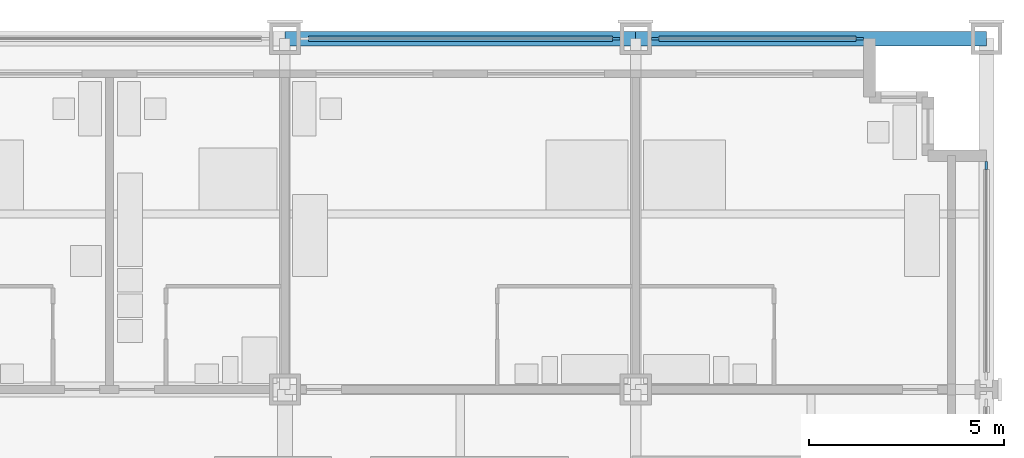
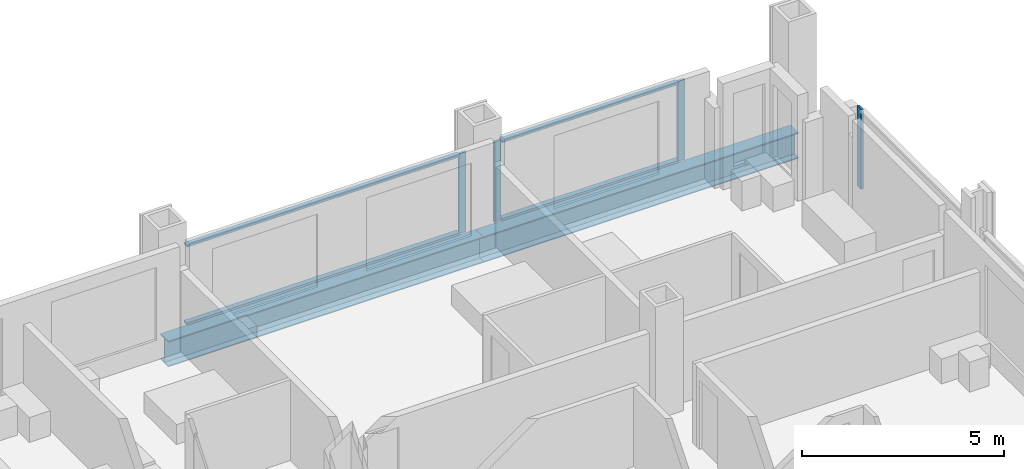
# One storey, part 8 of 18: 8 members, 2 beams, 3 elements without a shape of their own.
"""IFC4 building model written with IfcOpenShell, lengths in metres."""

from ifc_helpers import new_model, si_unit, direction, frame, origin, origin_2d, place, context, subcontext, project, spatial, rectangle, i_section, extrude, material, material_profile, profile_set, type_object, element, aggregate, save


model = new_model("IFC4")

# Units and contexts
model_context = context("Model", 3, precision=1e-05, world=origin(), true_north=direction((0.0, 1.0)))
body_context = subcontext(model_context, "Body", "Model", "MODEL_VIEW")
ifc_project = project(units=[si_unit("LENGTHUNIT", "METRE"), si_unit("AREAUNIT", "SQUARE_METRE"), si_unit("VOLUMEUNIT", "CUBIC_METRE"), si_unit("PLANEANGLEUNIT", "RADIAN"), si_unit("MASSUNIT", "GRAM", prefix="KILO")], contexts=[model_context])

# Site, building, storey
site_placement = place(None, origin())
site = spatial("IfcSite", under=ifc_project, at=site_placement, CompositionType="ELEMENT")
building_placement = place(site_placement, origin())
building = spatial("IfcBuilding", under=site, at=building_placement, Name="Loomwork Tower", CompositionType="ELEMENT")
storey_placement = place(building_placement, frame((0.0, 0.0, 38.199951171875)))
storey = spatial("IfcBuildingStorey", under=building, at=storey_placement, Name="L08", CompositionType="ELEMENT", Elevation=38.199951171875)

# Curtain wall, member
ifc_material_1 = material(Name="Aluminium curtain wall frame", Category="aluminium")
curtain_wall_type = type_object("IfcCurtainWallType", Name="Outer skin glazing hotel", PredefinedType="NOTDEFINED", material=ifc_material_1)
curtain_wall_1_placement = place(storey_placement, origin())
curtain_wall_1 = element("IfcCurtainWall", 1, at=curtain_wall_1_placement, inside=storey, type_object=curtain_wall_type, Name="Outer skin glazing hotel cw/N-36", PredefinedType="NOTDEFINED")
ifc_material_2 = material(Name="Aluminium curtain wall frame", Category="aluminium")
ifc_material_profile_1 = material_profile(ifc_material_2, rectangle(XDim=0.06494140625, YDim=0.199951171875, at=origin_2d()), Name="AL 65x200")
ifc_profile_set_1 = profile_set([ifc_material_profile_1], Name="Aluminium curtain wall frame")
member_type_1 = type_object("IfcMemberType", Name="Outer skin glazing hotel mullion", PredefinedType="MULLION", material=ifc_profile_set_1)
member_1_placement = place(storey_placement, frame((44.5, 36.0, 0.0), z_axis=(0.0, 0.0, 1.0), x_axis=(0.0, -1.0, 0.0)))
member_1 = element("IfcMember", 2, at=member_1_placement, type_object=member_type_1, Name="CW1 mullion 1", PredefinedType="MULLION", context=body_context, shape_type="SweptSolid", body=[
    extrude(rectangle(XDim=0.06494140625, YDim=0.199951171875, at=origin_2d()), origin(), (0.0, 0.0, 1.0), 2.420166015625),
])

# Curtain wall, members
curtain_wall_2_placement = place(storey_placement, origin())
curtain_wall_2 = element("IfcCurtainWall", 3, at=curtain_wall_2_placement, inside=storey, type_object=curtain_wall_type, Name="Outer skin glazing hotel cw/N-45", PredefinedType="NOTDEFINED")
member_2_placement = place(storey_placement, frame((50.75, 36.0, 0.0), z_axis=(0.0, 0.0, 1.0), x_axis=(0.0, -1.0, 0.0)))
member_2 = element("IfcMember", 4, at=member_2_placement, type_object=member_type_1, Name="CW1 mullion 1", PredefinedType="MULLION", context=body_context, shape_type="SweptSolid", body=[
    extrude(rectangle(XDim=0.06494140625, YDim=0.199951171875, at=origin_2d()), origin(), (0.0, 0.0, 1.0), 2.420166015625),
])
member_3_placement = place(storey_placement, frame((45.5, 36.0, 0.0), z_axis=(0.0, 0.0, 1.0), x_axis=(0.0, -1.0, 0.0)))
member_3 = element("IfcMember", 5, at=member_3_placement, type_object=member_type_1, Name="CW1 mullion 2", PredefinedType="MULLION", context=body_context, shape_type="SweptSolid", body=[
    extrude(rectangle(XDim=0.06494140625, YDim=0.199951171875, at=origin_2d()), origin(), (0.0, 0.0, 1.0), 2.420166015625),
])

# Curtain wall, member
curtain_wall_3_placement = place(storey_placement, origin())
curtain_wall_3 = element("IfcCurtainWall", 6, at=curtain_wall_3_placement, inside=storey, type_object=curtain_wall_type, Name="Outer skin glazing hotel cw/E-27", PredefinedType="NOTDEFINED")
member_4_placement = place(storey_placement, frame((54.0, 32.75, 0.0), z_axis=(0.0, 0.0, 1.0), x_axis=(-1.0, 0.0, 0.0)))
member_4 = element("IfcMember", 7, at=member_4_placement, type_object=member_type_1, Name="CW1 mullion 2", PredefinedType="MULLION", context=body_context, shape_type="SweptSolid", body=[
    extrude(rectangle(XDim=0.06494140625, YDim=0.199951171875, at=origin_2d()), origin(), (0.0, 0.0, 1.0), 2.420166015625),
])
aggregate(curtain_wall_3, [member_4])

# Member
ifc_material_3 = material(Name="Aluminium curtain wall frame", Category="aluminium")
ifc_material_profile_2 = material_profile(ifc_material_3, rectangle(XDim=0.14990234375, YDim=0.06494140625, at=origin_2d()), Name="AL 65x150")
ifc_profile_set_2 = profile_set([ifc_material_profile_2], Name="Aluminium curtain wall frame")
member_type_2 = type_object("IfcMemberType", Name="Outer skin glazing hotel transom", PredefinedType="USERDEFINED", material=ifc_profile_set_2)
member_5_placement = place(storey_placement, frame((44.39990234375, 36.0, 0.032470703125), z_axis=(-1.0, 0.0, 0.0), x_axis=(0.0, -1.0, 0.0)))
member_5 = element("IfcMember", 8, at=member_5_placement, type_object=member_type_2, Name="CW1 transom 1.1", ObjectType="TRANSOM", PredefinedType="USERDEFINED", context=body_context, shape_type="SweptSolid", body=[
    extrude(rectangle(XDim=0.14990234375, YDim=0.06494140625, at=origin_2d()), origin(), (0.0, 0.0, 1.0), 7.7998046875),
])

member_6_placement = place(storey_placement, frame((44.39990234375, 36.0, 2.3876953125), z_axis=(-1.0, 0.0, 0.0), x_axis=(0.0, -1.0, 0.0)))
member_6 = element("IfcMember", 9, at=member_6_placement, type_object=member_type_2, Name="CW1 transom 1.2", ObjectType="TRANSOM", PredefinedType="USERDEFINED", context=body_context, shape_type="SweptSolid", body=[
    extrude(rectangle(XDim=0.14990234375, YDim=0.06494140625, at=origin_2d()), origin(), (0.0, 0.0, 1.0), 7.7998046875),
])

aggregate(curtain_wall_1, [member_1, member_5, member_6])

member_7_placement = place(storey_placement, frame((50.64990234375, 36.0, 0.032470703125), z_axis=(-1.0, 0.0, 0.0), x_axis=(0.0, -1.0, 0.0)))
member_7 = element("IfcMember", 10, at=member_7_placement, type_object=member_type_2, Name="CW1 transom 1.1", ObjectType="TRANSOM", PredefinedType="USERDEFINED", context=body_context, shape_type="SweptSolid", body=[
    extrude(rectangle(XDim=0.14990234375, YDim=0.06494140625, at=origin_2d()), origin(), (0.0, 0.0, 1.0), 5.0498046875),
])

member_8_placement = place(storey_placement, frame((50.64990234375, 36.0, 2.3876953125), z_axis=(-1.0, 0.0, 0.0), x_axis=(0.0, -1.0, 0.0)))
member_8 = element("IfcMember", 11, at=member_8_placement, type_object=member_type_2, Name="CW1 transom 1.2", ObjectType="TRANSOM", PredefinedType="USERDEFINED", context=body_context, shape_type="SweptSolid", body=[
    extrude(rectangle(XDim=0.14990234375, YDim=0.06494140625, at=origin_2d()), origin(), (0.0, 0.0, 1.0), 5.0498046875),
])

aggregate(curtain_wall_2, [member_2, member_3, member_7, member_8])

# Beams
ifc_material_4 = material(Name="Steel ASTM A992", Category="steel")
ifc_material_profile_3 = material_profile(ifc_material_4, i_section(OverallWidth=0.381103515625, OverallDepth=0.77978515625, WebThickness=0.01806640625, FlangeThickness=0.0302734375, at=origin_2d()), Name="W30x191")
ifc_profile_set_3 = profile_set([ifc_material_profile_3], Name="Steel ASTM A992")
beam_type = type_object("IfcBeamType", Name="SPANDREL GIRDER W30x191", PredefinedType="SPANDREL", material=ifc_profile_set_3)
for number, where, z_axis, x_axis, name in (
    (12, (36.0, 36.0, -0.58984375), (1.0, 0.0, 0.0), (0.0, 1.0, 0.0), "Spandrel Girder H/6-H/7 L08"),
    (13, (45.0, 36.0, -0.58984375), (1.0, 0.0, 0.0), (0.0, 1.0, 0.0), "Spandrel Girder H/7-H/8 L08"),
):
    element("IfcBeam", number, at=place(storey_placement, frame(where, z_axis=z_axis, x_axis=x_axis)), inside=storey, type_object=beam_type, Name=name, PredefinedType="SPANDREL", context=body_context, shape_type="SweptSolid", body=[
        extrude(i_section(OverallWidth=0.381103515625, OverallDepth=0.77978515625, WebThickness=0.01806640625, FlangeThickness=0.0302734375, at=origin_2d()), origin(), (0.0, 0.0, 1.0), 9.0),
    ])

save(model, "model.ifc")
